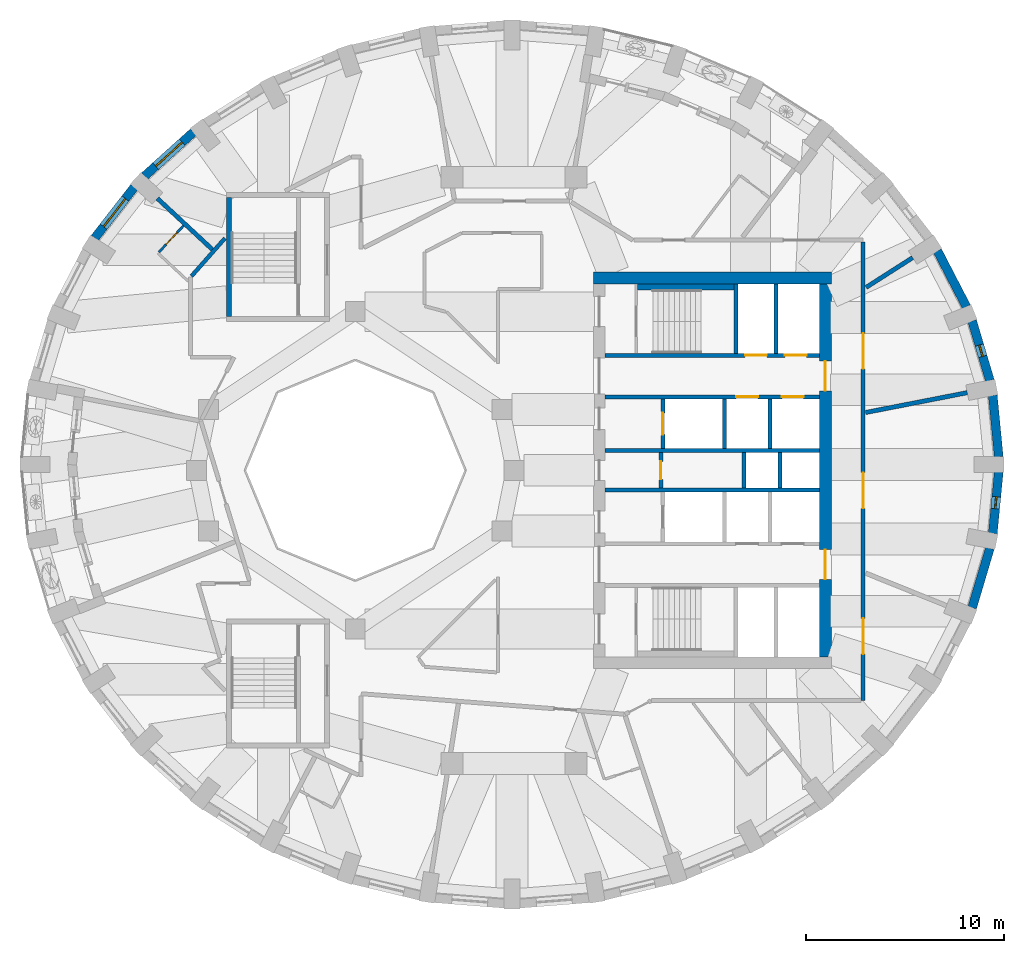
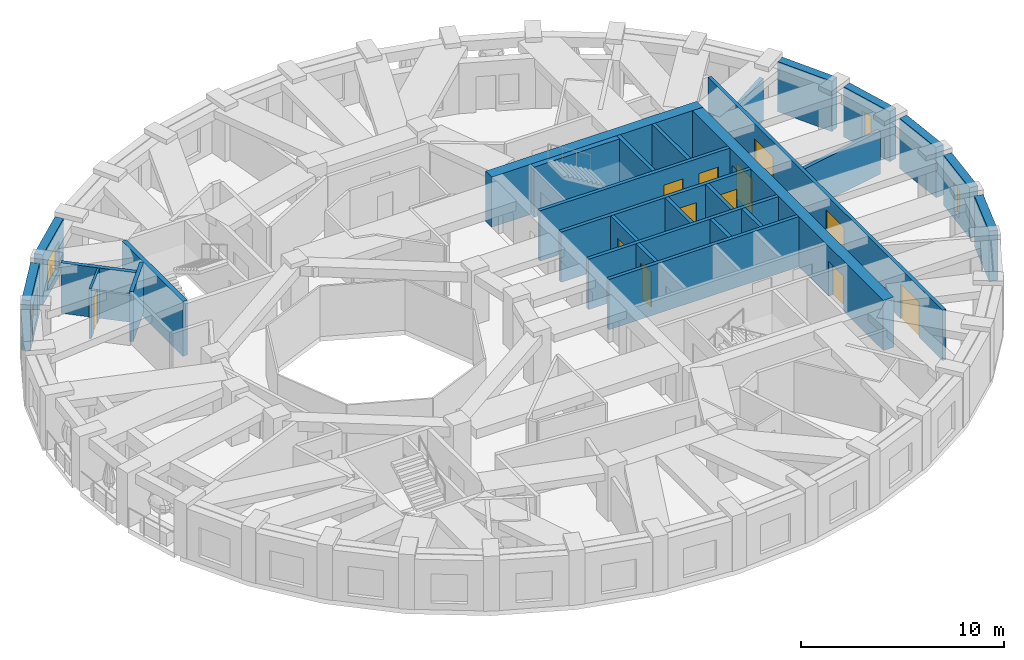
# One storey, part 6 of 12: 29 walls, 12 doors, 4 windows, 16 openings.
"""IFC4 building model written with IfcOpenShell, lengths in metres."""

from ifc_helpers import new_model, si_unit, direction, frame, frame_2d, origin, place, context, subcontext, project, spatial, rectangle, extrude, material, layer, layer_set, type_object, element, fill, save


model = new_model("IFC4")

# Units and contexts
model_context = context("Model", 3, precision=1e-05, world=origin(), true_north=direction((0.0, 1.0)))
body_context = subcontext(model_context, "Body", "Model", "MODEL_VIEW")
ifc_project = project(units=[si_unit("LENGTHUNIT", "METRE"), si_unit("AREAUNIT", "SQUARE_METRE"), si_unit("VOLUMEUNIT", "CUBIC_METRE"), si_unit("PLANEANGLEUNIT", "RADIAN"), si_unit("MASSUNIT", "GRAM", prefix="KILO")], contexts=[model_context])

# Site, building, storey
site_placement = place(None, origin())
site = spatial("IfcSite", under=ifc_project, at=site_placement, CompositionType="ELEMENT")
building_placement = place(site_placement, origin())
building = spatial("IfcBuilding", under=site, at=building_placement, Name="Taillehof Tower", CompositionType="ELEMENT")
storey_placement = place(building_placement, frame((0.0, 0.0, 239.89990234375)))
storey = spatial("IfcBuildingStorey", under=building, at=storey_placement, Name="L68", CompositionType="ELEMENT", Elevation=239.89990234375)

# Wall
ifc_material_1 = material(Name="Brick masonry", Category="masonry")
ifc_layer_1 = layer(ifc_material_1, 0.449951171875)
ifc_layer_set_1 = layer_set([ifc_layer_1], Name="Brick infill wall 450")
wall_type_1 = type_object("IfcWallType", Name="Brick infill wall 450", PredefinedType="SOLIDWALL", material=ifc_layer_set_1)
wall_1_placement = place(storey_placement, frame((24.43701171875, 0.68017578125, 0.0), z_axis=(0.0, 0.0, 1.0), x_axis=(-0.096740086873, 0.995309678237, 0.0)))
element("IfcWall", 1, at=wall_1_placement, inside=storey, type_object=wall_type_1, Name="Brick wall L68 bay 1", PredefinedType="SOLIDWALL", context=body_context, shape_type="SweptSolid", body=[
    extrude(rectangle(XDim=3.1142578125, YDim=0.449951171875, at=frame_2d((1.55712890625, 0.0))), origin(), (0.0, 0.0, 1.0), 3.02001953125),
])

# Wall, opening, window
wall_2_placement = place(storey_placement, frame((23.989990234375, 4.52587890625, 0.0), z_axis=(0.0, 0.0, 1.0), x_axis=(-0.285263800865, 0.958449040855, 0.0)))
wall_2 = element("IfcWall", 2, at=wall_2_placement, inside=storey, type_object=wall_type_1, Name="Brick wall L68 bay 2", PredefinedType="SOLIDWALL", context=body_context, shape_type="SweptSolid", body=[
    extrude(rectangle(XDim=3.13916015625, YDim=0.449951171875, at=frame_2d((1.569580078125, 0.0))), origin(), (0.0, 0.0, 1.0), 3.02001953125),
])
opening_1_placement = place(wall_2_placement, frame((1.26953125, 0.0, 0.39990234375)))
opening_1 = element("IfcOpeningElement", 3, at=opening_1_placement, cuts=wall_2, Name="Opening W6", PredefinedType="OPENING", context=body_context, shape_type="SweptSolid", body=[
    extrude(rectangle(XDim=0.60009765625, YDim=1.75, at=frame_2d((0.300048828125, 0.875))), frame((0.0, 0.23486328125, 0.0), z_axis=(0.0, -1.0, 0.0), x_axis=(1.0, 0.0, 0.0)), (0.0, 0.0, 1.0), 0.469970703125),
])
ifc_material_2 = material(Name="Aluminium window frame with clear double glazing", Category="aluminium")
window_type_1 = type_object("IfcWindowType", Name="Slot window 600x1750", PartitioningType="SINGLE_PANEL", PredefinedType="WINDOW", material=ifc_material_2)
window_1_placement = place(opening_1_placement, origin())
window_1 = element("IfcWindow", 4, at=window_1_placement, inside=storey, type_object=window_type_1, Name="W6", OverallHeight=1.75, OverallWidth=0.60009765625, PartitioningType="SINGLE_PANEL", PredefinedType="WINDOW", context=body_context, shape_type="SweptSolid", body=[
    extrude(rectangle(XDim=0.60009765625, YDim=1.75, at=frame_2d((0.300048828125, 0.875))), frame((0.0, 0.034912109375, 0.0), z_axis=(0.0, -1.0, 0.0), x_axis=(1.0, 0.0, 0.0)), (0.0, 0.0, 1.0), 0.06005859375),
])
fill(opening_1, window_1)

# Wall
wall_3_placement = place(storey_placement, frame((22.81005859375, 8.239501953125, 0.0), z_axis=(0.0, 0.0, 1.0), x_axis=(-0.459889857669, 0.887975967475, 0.0)))
element("IfcWall", 5, at=wall_3_placement, inside=storey, type_object=wall_type_1, Name="Brick wall L68 bay 3", PredefinedType="SOLIDWALL", context=body_context, shape_type="SweptSolid", body=[
    extrude(rectangle(XDim=3.185791015625, YDim=0.449951171875, at=frame_2d((1.5927734375, 0.0))), origin(), (0.0, 0.0, 1.0), 3.02001953125),
])

# Wall, opening, window
wall_4_placement = place(storey_placement, frame((-16.1591796875, 17.04736328125, 0.0), z_axis=(0.0, 0.0, 1.0), x_axis=(-0.743166014219, -0.669107073128, 0.0)))
wall_4 = element("IfcWall", 6, at=wall_4_placement, inside=storey, type_object=wall_type_1, Name="Brick wall L68 bay 14", PredefinedType="SOLIDWALL", context=body_context, shape_type="SweptSolid", body=[
    extrude(rectangle(XDim=3.31640625, YDim=0.449951171875, at=frame_2d((1.658203125, 0.0))), origin(), (0.0, 0.0, 1.0), 3.02001953125),
])
opening_2_placement = place(wall_4_placement, frame((0.75830078125, 0.0, 0.39990234375)))
opening_2 = element("IfcOpeningElement", 7, at=opening_2_placement, cuts=wall_4, Name="Opening W4", PredefinedType="OPENING", context=body_context, shape_type="SweptSolid", body=[
    extrude(rectangle(XDim=1.800048828125, YDim=1.75, at=frame_2d((0.89990234375, 0.875))), frame((0.0, 0.23486328125, 0.0), z_axis=(0.0, -1.0, 0.0), x_axis=(1.0, 0.0, 0.0)), (0.0, 0.0, 1.0), 0.469970703125),
])
ifc_material_3 = material(Name="Aluminium window frame with clear double glazing", Category="aluminium")
window_type_2 = type_object("IfcWindowType", Name="Deep-set window 1800x1750", PartitioningType="SINGLE_PANEL", PredefinedType="WINDOW", material=ifc_material_3)
window_2_placement = place(opening_2_placement, origin())
window_2 = element("IfcWindow", 8, at=window_2_placement, inside=storey, type_object=window_type_2, Name="W4", OverallHeight=1.75, OverallWidth=1.800048828125, PartitioningType="SINGLE_PANEL", PredefinedType="WINDOW", context=body_context, shape_type="SweptSolid", body=[
    extrude(rectangle(XDim=1.800048828125, YDim=1.75, at=frame_2d((0.89990234375, 0.875))), frame((0.0, 0.034912109375, 0.0), z_axis=(0.0, -1.0, 0.0), x_axis=(1.0, 0.0, 0.0)), (0.0, 0.0, 1.0), 0.06005859375),
])
fill(opening_2, window_2)

wall_5_placement = place(storey_placement, frame((-19.1416015625, 14.27197265625, 0.0), z_axis=(0.0, 0.0, 1.0), x_axis=(-0.613862536705, -0.789412937587, 0.0)))
wall_5 = element("IfcWall", 9, at=wall_5_placement, inside=storey, type_object=wall_type_1, Name="Brick wall L68 bay 15", PredefinedType="SOLIDWALL", context=body_context, shape_type="SweptSolid", body=[
    extrude(rectangle(XDim=3.247314453125, YDim=0.449951171875, at=frame_2d((1.62353515625, 0.0))), origin(), (0.0, 0.0, 1.0), 3.02001953125),
])
opening_3_placement = place(wall_5_placement, frame((0.7236328125, 0.0, 0.39990234375)))
opening_3 = element("IfcOpeningElement", 10, at=opening_3_placement, cuts=wall_5, Name="Opening W4", PredefinedType="OPENING", context=body_context, shape_type="SweptSolid", body=[
    extrude(rectangle(XDim=1.800048828125, YDim=1.75, at=frame_2d((0.89990234375, 0.875))), frame((0.0, 0.23486328125, 0.0), z_axis=(0.0, -1.0, 0.0), x_axis=(1.0, 0.0, 0.0)), (0.0, 0.0, 1.0), 0.469970703125),
])
window_3_placement = place(opening_3_placement, origin())
window_3 = element("IfcWindow", 11, at=window_3_placement, inside=storey, type_object=window_type_2, Name="W4", OverallHeight=1.75, OverallWidth=1.800048828125, PartitioningType="SINGLE_PANEL", PredefinedType="WINDOW", context=body_context, shape_type="SweptSolid", body=[
    extrude(rectangle(XDim=1.800048828125, YDim=1.75, at=frame_2d((0.89990234375, 0.875))), frame((0.0, 0.034912109375, 0.0), z_axis=(0.0, -1.0, 0.0), x_axis=(1.0, 0.0, 0.0)), (0.0, 0.0, 1.0), 0.06005859375),
])
fill(opening_3, window_3)

# Wall
wall_6_placement = place(storey_placement, frame((23.094482421875, -6.9345703125, 0.0), z_axis=(0.0, 0.0, 1.0), x_axis=(0.285263800865, 0.958449040855, 0.0)))
element("IfcWall", 12, at=wall_6_placement, inside=storey, type_object=wall_type_1, Name="Brick wall L68 bay 35", PredefinedType="SOLIDWALL", context=body_context, shape_type="SweptSolid", body=[
    extrude(rectangle(XDim=3.13916015625, YDim=0.449951171875, at=frame_2d((1.569580078125, 0.0))), origin(), (0.0, 0.0, 1.0), 3.02001953125),
])

# Wall, opening, window
wall_7_placement = place(storey_placement, frame((24.1357421875, -3.179931640625, 0.0), z_axis=(0.0, 0.0, 1.0), x_axis=(0.09673253904, 0.995310411827, 0.0)))
wall_7 = element("IfcWall", 13, at=wall_7_placement, inside=storey, type_object=wall_type_1, Name="Brick wall L68 bay 36", PredefinedType="SOLIDWALL", context=body_context, shape_type="SweptSolid", body=[
    extrude(rectangle(XDim=3.114501953125, YDim=0.449951171875, at=frame_2d((1.55712890625, 0.0))), origin(), (0.0, 0.0, 1.0), 3.02001953125),
])
opening_4_placement = place(wall_7_placement, frame((1.257080078125, 0.0, 0.39990234375)))
opening_4 = element("IfcOpeningElement", 14, at=opening_4_placement, cuts=wall_7, Name="Opening W6", PredefinedType="OPENING", context=body_context, shape_type="SweptSolid", body=[
    extrude(rectangle(XDim=0.60009765625, YDim=1.75, at=frame_2d((0.300048828125, 0.875))), frame((0.0, 0.23486328125, 0.0), z_axis=(0.0, -1.0, 0.0), x_axis=(1.0, 0.0, 0.0)), (0.0, 0.0, 1.0), 0.469970703125),
])
window_4_placement = place(opening_4_placement, origin())
window_4 = element("IfcWindow", 15, at=window_4_placement, inside=storey, type_object=window_type_1, Name="W6", OverallHeight=1.75, OverallWidth=0.60009765625, PartitioningType="SINGLE_PANEL", PredefinedType="WINDOW", context=body_context, shape_type="SweptSolid", body=[
    extrude(rectangle(XDim=0.60009765625, YDim=1.75, at=frame_2d((0.300048828125, 0.875))), frame((0.0, 0.034912109375, 0.0), z_axis=(0.0, -1.0, 0.0), x_axis=(1.0, 0.0, 0.0)), (0.0, 0.0, 1.0), 0.06005859375),
])
fill(opening_4, window_4)

# Wall, opening, door
ifc_material_4 = material(Name="Calcium silicate masonry", Category="masonry")
ifc_layer_2 = layer(ifc_material_4, 0.199951171875)
ifc_layer_set_2 = layer_set([ifc_layer_2], Name="Compartment wall calcium silicate 200")
wall_type_2 = type_object("IfcWallType", Name="Compartment wall calcium silicate 200", PredefinedType="PARTITIONING", material=ifc_layer_set_2)
wall_8_placement = place(storey_placement, frame((7.39990234375, -0.89990234375, 0.0), z_axis=(0.0, 0.0, 1.0), x_axis=(0.0, 1.0, 0.0)))
wall_8 = element("IfcWall", 16, at=wall_8_placement, inside=storey, type_object=wall_type_2, Name="Compartment wall FW", PredefinedType="PARTITIONING", context=body_context, shape_type="SweptSolid", body=[
    extrude(rectangle(XDim=1.7998046875, YDim=0.199951171875, at=frame_2d((0.89990234375, 0.0))), origin(), (0.0, 0.0, 1.0), 3.02001953125),
])
opening_5_placement = place(wall_8_placement, frame((0.449951171875, 0.0, 0.0)))
opening_5 = element("IfcOpeningElement", 17, at=opening_5_placement, cuts=wall_8, Name="Opening D6814", PredefinedType="OPENING", context=body_context, shape_type="SweptSolid", body=[
    extrude(rectangle(XDim=0.89990234375, YDim=2.10009765625, at=frame_2d((0.449951171875, 1.050048828125))), frame((0.0, 0.10986328125, 0.0), z_axis=(0.0, -1.0, 0.0), x_axis=(1.0, 0.0, 0.0)), (0.0, 0.0, 1.0), 0.219970703125),
])
ifc_material_5 = material(Name="Steel-faced fire door", Category="steel")
door_type_1 = type_object("IfcDoorType", Name="Riser and service room door 900x2100", OperationType="SINGLE_SWING_LEFT", PredefinedType="DOOR", material=ifc_material_5)
door_1_placement = place(opening_5_placement, origin())
door_1 = element("IfcDoor", 18, at=door_1_placement, inside=storey, type_object=door_type_1, Name="Door Electrical Room", OperationType="SINGLE_SWING_RIGHT", OverallHeight=2.10009765625, OverallWidth=0.89990234375, PredefinedType="DOOR", context=body_context, shape_type="SweptSolid", body=[
    extrude(rectangle(XDim=0.89990234375, YDim=2.10009765625, at=frame_2d((0.449951171875, 1.050048828125))), frame((0.0, 0.02490234375, 0.0), z_axis=(0.0, -1.0, 0.0), x_axis=(1.0, 0.0, 0.0)), (0.0, 0.0, 1.0), 0.050048828125),
])
fill(opening_5, door_1)

# Walls
for number, where, z_axis, x_axis, name in (
    (19, (11.60009765625, -0.89990234375, 0.0), (0.0, 0.0, 1.0), (0.0, 1.0, 0.0), "Compartment wall FW"),
    (20, (13.39990234375, -0.89990234375, 0.0), (0.0, 0.0, 1.0), (0.0, 1.0, 0.0), "Compartment wall FW"),
):
    element("IfcWall", number, at=place(storey_placement, frame(where, z_axis=z_axis, x_axis=x_axis)), inside=storey, type_object=wall_type_2, Name=name, PredefinedType="PARTITIONING", context=body_context, shape_type="SweptSolid", body=[
        extrude(rectangle(XDim=1.7998046875, YDim=0.199951171875, at=frame_2d((0.89990234375, 0.0))), origin(), (0.0, 0.0, 1.0), 3.02001953125),
    ])

# Wall, openings, doors
ifc_material_6 = material(Name="Gypsum board on steel studs, two layers each side", Category="steel")
ifc_layer_3 = layer(ifc_material_6, 0.199951171875)
ifc_layer_set_3 = layer_set([ifc_layer_3], Name="Compartment wall corridor 200")
wall_type_3 = type_object("IfcWallType", Name="Compartment wall corridor 200", PredefinedType="PARTITIONING", material=ifc_layer_set_3)
wall_9_placement = place(storey_placement, frame((17.60009765625, 11.5, 0.0), z_axis=(0.0, 0.0, 1.0), x_axis=(0.0, -1.0, 0.0)))
wall_9 = element("IfcWall", 21, at=wall_9_placement, inside=storey, type_object=wall_type_3, Name="Compartment wall", PredefinedType="PARTITIONING", context=body_context, shape_type="SweptSolid", body=[
    extrude(rectangle(XDim=23.10009765625, YDim=0.199951171875, at=frame_2d((11.550048828125, 0.0))), origin(), (0.0, 0.0, 1.0), 3.02001953125),
])
opening_6_placement = place(wall_9_placement, frame((18.9599609375, 0.0, 0.0)))
opening_6 = element("IfcOpeningElement", 22, at=opening_6_placement, cuts=wall_9, Name="Opening D6854", PredefinedType="OPENING", context=body_context, shape_type="SweptSolid", body=[
    extrude(rectangle(XDim=1.800048828125, YDim=2.10009765625, at=frame_2d((0.89990234375, 1.050048828125))), frame((0.0, 0.10986328125, 0.0), z_axis=(0.0, -1.0, 0.0), x_axis=(1.0, 0.0, 0.0)), (0.0, 0.0, 1.0), 0.219970703125),
])
opening_7_placement = place(wall_9_placement, frame((11.6171875, 0.0, 0.0)))
opening_7 = element("IfcOpeningElement", 23, at=opening_7_placement, cuts=wall_9, Name="Opening D6855", PredefinedType="OPENING", context=body_context, shape_type="SweptSolid", body=[
    extrude(rectangle(XDim=1.800048828125, YDim=2.10009765625, at=frame_2d((0.89990234375, 1.050048828125))), frame((0.0, 0.10986328125, 0.0), z_axis=(0.0, -1.0, 0.0), x_axis=(1.0, 0.0, 0.0)), (0.0, 0.0, 1.0), 0.219970703125),
])
opening_8_placement = place(wall_9_placement, frame((4.5908203125, 0.0, 0.0)))
opening_8 = element("IfcOpeningElement", 24, at=opening_8_placement, cuts=wall_9, Name="Opening D6856", PredefinedType="OPENING", context=body_context, shape_type="SweptSolid", body=[
    extrude(rectangle(XDim=1.800048828125, YDim=2.10009765625, at=frame_2d((0.89990234375, 1.050048828125))), frame((0.0, 0.10986328125, 0.0), z_axis=(0.0, -1.0, 0.0), x_axis=(1.0, 0.0, 0.0)), (0.0, 0.0, 1.0), 0.219970703125),
])
ifc_material_7 = material(Name="Timber door leaf in steel frame", Category="steel")
door_type_2 = type_object("IfcDoorType", Name="Lounge and meeting room double door EI 30 1800 x 2100", OperationType="SINGLE_SWING_LEFT", PredefinedType="DOOR", material=ifc_material_7)
door_2_placement = place(opening_6_placement, origin())
door_2 = element("IfcDoor", 25, at=door_2_placement, inside=storey, type_object=door_type_2, Name="D6854", OperationType="DOUBLE_DOOR_SINGLE_SWING", OverallHeight=2.10009765625, OverallWidth=1.800048828125, PredefinedType="DOOR", context=body_context, shape_type="SweptSolid", body=[
    extrude(rectangle(XDim=1.800048828125, YDim=2.10009765625, at=frame_2d((0.89990234375, 1.050048828125))), frame((0.0, 0.02490234375, 0.0), z_axis=(0.0, -1.0, 0.0), x_axis=(1.0, 0.0, 0.0)), (0.0, 0.0, 1.0), 0.050048828125),
])
fill(opening_6, door_2)
door_3_placement = place(opening_7_placement, origin())
door_3 = element("IfcDoor", 26, at=door_3_placement, inside=storey, type_object=door_type_2, Name="D6855", OperationType="DOUBLE_DOOR_SINGLE_SWING", OverallHeight=2.10009765625, OverallWidth=1.800048828125, PredefinedType="DOOR", context=body_context, shape_type="SweptSolid", body=[
    extrude(rectangle(XDim=1.800048828125, YDim=2.10009765625, at=frame_2d((0.89990234375, 1.050048828125))), frame((0.0, 0.02490234375, 0.0), z_axis=(0.0, -1.0, 0.0), x_axis=(1.0, 0.0, 0.0)), (0.0, 0.0, 1.0), 0.050048828125),
])
fill(opening_7, door_3)
door_4_placement = place(opening_8_placement, origin())
door_4 = element("IfcDoor", 27, at=door_4_placement, inside=storey, type_object=door_type_2, Name="D6856", OperationType="DOUBLE_DOOR_SINGLE_SWING", OverallHeight=2.10009765625, OverallWidth=1.800048828125, PredefinedType="DOOR", context=body_context, shape_type="SweptSolid", body=[
    extrude(rectangle(XDim=1.800048828125, YDim=2.10009765625, at=frame_2d((0.89990234375, 1.050048828125))), frame((0.0, 0.02490234375, 0.0), z_axis=(0.0, -1.0, 0.0), x_axis=(1.0, 0.0, 0.0)), (0.0, 0.0, 1.0), 0.050048828125),
])
fill(opening_8, door_4)

# Walls
wall_10_placement = place(storey_placement, frame((-16.260498046875, 9.783447265625, 0.0), z_axis=(0.0, 0.0, 1.0), x_axis=(0.66199168739, 0.74951117792, 0.0)))
element("IfcWall", 28, at=wall_10_placement, inside=storey, type_object=wall_type_3, Name="Compartment wall", PredefinedType="PARTITIONING", context=body_context, shape_type="SweptSolid", body=[
    extrude(rectangle(XDim=2.552490234375, YDim=0.199951171875, at=frame_2d((1.2763671875, 0.0))), origin(), (0.0, 0.0, 1.0), 3.02001953125),
])
ifc_material_8 = material(Name="Gypsum board on double steel studs with mineral wool", Category="steel")
ifc_layer_4 = layer(ifc_material_8, 0.219970703125)
ifc_layer_set_4 = layer_set([ifc_layer_4], Name="Compartment wall guest room 220")
wall_type_4 = type_object("IfcWallType", Name="Compartment wall guest room 220", PredefinedType="PARTITIONING", material=ifc_layer_set_4)
wall_11_placement = place(storey_placement, frame((22.8486328125, 3.915771484375, 0.0), z_axis=(0.0, 0.0, 1.0), x_axis=(-0.981474096155, -0.191594881394, 0.0)))
element("IfcWall", 29, at=wall_11_placement, inside=storey, type_object=wall_type_4, Name="Compartment wall", PredefinedType="PARTITIONING", context=body_context, shape_type="SweptSolid", body=[
    extrude(rectangle(XDim=5.225830078125, YDim=0.219970703125, at=frame_2d((2.61279296875, 0.0))), origin(), (0.0, 0.0, 1.0), 2.570068359375),
])
wall_12_placement = place(storey_placement, frame((20.095947265625, 10.720947265625, 0.0), z_axis=(0.0, 0.0, 1.0), x_axis=(-0.842583486412, -0.538565751256, 0.0)))
element("IfcWall", 30, at=wall_12_placement, inside=storey, type_object=wall_type_4, Name="Compartment wall", PredefinedType="PARTITIONING", context=body_context, shape_type="SweptSolid", body=[
    extrude(rectangle(XDim=2.783447265625, YDim=0.219970703125, at=frame_2d((1.3916015625, 0.0))), origin(), (0.0, 0.0, 1.0), 2.570068359375),
])
wall_13_placement = place(storey_placement, frame((-17.973876953125, 13.705810546875, 0.0), z_axis=(0.0, 0.0, 1.0), x_axis=(0.732644022802, -0.680612030346, 0.0)))
element("IfcWall", 31, at=wall_13_placement, inside=storey, type_object=wall_type_4, Name="Compartment wall", PredefinedType="PARTITIONING", context=body_context, shape_type="SweptSolid", body=[
    extrude(rectangle(XDim=3.78173828125, YDim=0.219970703125, at=frame_2d((1.890869140625, 0.0))), origin(), (0.0, 0.0, 1.0), 3.02001953125),
])
ifc_material_9 = material(Name="Calcium silicate masonry", Category="masonry")
ifc_layer_5 = layer(ifc_material_9, 0.300048828125)
ifc_layer_set_5 = layer_set([ifc_layer_5], Name="Compartment wall lining calcium silicate 300")
wall_type_5 = type_object("IfcWallType", Name="Compartment wall lining calcium silicate 300", PredefinedType="PARTITIONING", material=ifc_layer_set_5)
wall_14_placement = place(storey_placement, frame((6.219970703125, 9.25, 0.0), z_axis=(0.0, 0.0, 1.0), x_axis=(1.0, 0.0, 0.0)))
element("IfcWall", 32, at=wall_14_placement, inside=storey, type_object=wall_type_5, Name="Compartment wall FW", PredefinedType="PARTITIONING", context=body_context, shape_type="SweptSolid", body=[
    extrude(rectangle(XDim=4.880126953125, YDim=0.300048828125, at=frame_2d((2.43994140625, 0.0))), origin(), (0.0, 0.0, 1.0), 3.02001953125),
])

# Wall, openings, doors
ifc_material_10 = material(Name="Concrete C80/95", Category="concrete")
ifc_layer_6 = layer(ifc_material_10, 0.60009765625)
ifc_layer_set_6 = layer_set([ifc_layer_6], Name="Core wall C80/95 600")
wall_type_6 = type_object("IfcWallType", Name="Core wall C80/95 600", PredefinedType="SHEAR", material=ifc_layer_set_6)
wall_15_placement = place(storey_placement, frame((15.699951171875, -9.39990234375, 0.0), z_axis=(0.0, 0.0, 1.0), x_axis=(0.0, 1.0, 0.0)))
wall_15 = element("IfcWall", 33, at=wall_15_placement, inside=storey, type_object=wall_type_6, Name="Core wall CW05", PredefinedType="SHEAR", context=body_context, shape_type="SweptSolid", body=[
    extrude(rectangle(XDim=18.7998046875, YDim=0.60009765625, at=frame_2d((9.39990234375, 0.0))), origin(), (0.0, 0.0, 1.0), 3.02001953125),
])
opening_9_placement = place(wall_15_placement, frame((13.39990234375, 0.0, 0.0)))
opening_9 = element("IfcOpeningElement", 34, at=opening_9_placement, cuts=wall_15, Name="Opening D6808", PredefinedType="OPENING", context=body_context, shape_type="SweptSolid", body=[
    extrude(rectangle(XDim=1.5, YDim=2.10009765625, at=frame_2d((0.75, 1.050048828125))), frame((0.0, 0.31005859375, 0.0), z_axis=(0.0, -1.0, 0.0), x_axis=(1.0, 0.0, 0.0)), (0.0, 0.0, 1.0), 0.6201171875),
])
opening_10_placement = place(wall_15_placement, frame((3.89990234375, 0.0, 0.0)))
opening_10 = element("IfcOpeningElement", 35, at=opening_10_placement, cuts=wall_15, Name="Opening D6809", PredefinedType="OPENING", context=body_context, shape_type="SweptSolid", body=[
    extrude(rectangle(XDim=1.5, YDim=2.10009765625, at=frame_2d((0.75, 1.050048828125))), frame((0.0, 0.31005859375, 0.0), z_axis=(0.0, -1.0, 0.0), x_axis=(1.0, 0.0, 0.0)), (0.0, 0.0, 1.0), 0.6201171875),
])
ifc_material_11 = material(Name="Steel-faced fire door", Category="steel")
door_type_3 = type_object("IfcDoorType", Name="Lift lobby east door 1500x2100", OperationType="DOUBLE_DOOR_SINGLE_SWING", PredefinedType="DOOR", material=ifc_material_11)
door_5_placement = place(opening_9_placement, origin())
door_5 = element("IfcDoor", 36, at=door_5_placement, inside=storey, type_object=door_type_3, Name="Lift lobby east door north", OperationType="DOUBLE_DOOR_SINGLE_SWING", OverallHeight=2.10009765625, OverallWidth=1.5, PredefinedType="DOOR", context=body_context, shape_type="SweptSolid", body=[
    extrude(rectangle(XDim=1.5, YDim=2.10009765625, at=frame_2d((0.75, 1.050048828125))), frame((0.0, 0.02490234375, 0.0), z_axis=(0.0, -1.0, 0.0), x_axis=(1.0, 0.0, 0.0)), (0.0, 0.0, 1.0), 0.050048828125),
])
fill(opening_9, door_5)
door_6_placement = place(opening_10_placement, origin())
door_6 = element("IfcDoor", 37, at=door_6_placement, inside=storey, type_object=door_type_3, Name="Lift lobby east door south", OperationType="DOUBLE_DOOR_SINGLE_SWING", OverallHeight=2.10009765625, OverallWidth=1.5, PredefinedType="DOOR", context=body_context, shape_type="SweptSolid", body=[
    extrude(rectangle(XDim=1.5, YDim=2.10009765625, at=frame_2d((0.75, 1.050048828125))), frame((0.0, 0.02490234375, 0.0), z_axis=(0.0, -1.0, 0.0), x_axis=(1.0, 0.0, 0.0)), (0.0, 0.0, 1.0), 0.050048828125),
])
fill(opening_10, door_6)

# Wall
wall_16_placement = place(storey_placement, frame((4.0, 9.699951171875, 0.0), z_axis=(0.0, 0.0, 1.0), x_axis=(1.0, 0.0, 0.0)))
element("IfcWall", 38, at=wall_16_placement, inside=storey, type_object=wall_type_6, Name="Core wall CW06", PredefinedType="SHEAR", context=body_context, shape_type="SweptSolid", body=[
    extrude(rectangle(XDim=12.0, YDim=0.60009765625, at=frame_2d((6.0, 0.0))), origin(), (0.0, 0.0, 1.0), 3.02001953125),
])

# Wall, opening, door
ifc_material_12 = material(Name="Gypsum board on steel studs, moisture resistant", Category="steel")
ifc_layer_7 = layer(ifc_material_12, 0.1201171875)
ifc_layer_set_7 = layer_set([ifc_layer_7], Name="En-suite wall 120")
wall_type_7 = type_object("IfcWallType", Name="En-suite wall 120", PredefinedType="PARTITIONING", material=ifc_layer_set_7)
wall_17_placement = place(storey_placement, frame((-17.90234375, 10.991455078125, 0.0), z_axis=(0.0, 0.0, 1.0), x_axis=(0.680681343043, 0.732579626548, 0.0)))
wall_17 = element("IfcWall", 39, at=wall_17_placement, inside=storey, type_object=wall_type_7, Name="En-suite wall", PredefinedType="PARTITIONING", context=body_context, shape_type="SweptSolid", body=[
    extrude(rectangle(XDim=1.829833984375, YDim=0.1201171875, at=frame_2d((0.9150390625, 0.0))), origin(), (0.0, 0.0, 1.0), 3.02001953125),
])
opening_11_placement = place(wall_17_placement, frame((0.5400390625, 0.0, 0.0)))
opening_11 = element("IfcOpeningElement", 40, at=opening_11_placement, cuts=wall_17, Name="Opening D6845", PredefinedType="OPENING", context=body_context, shape_type="SweptSolid", body=[
    extrude(rectangle(XDim=0.800048828125, YDim=2.10009765625, at=frame_2d((0.39990234375, 1.050048828125))), frame((0.0, 0.070068359375, 0.0), z_axis=(0.0, -1.0, 0.0), x_axis=(1.0, 0.0, 0.0)), (0.0, 0.0, 1.0), 0.14013671875),
])
ifc_material_13 = material(Name="Timber door leaf in steel frame", Category="steel")
door_type_4 = type_object("IfcDoorType", Name="En-suite door 800 x 2100", OperationType="SINGLE_SWING_LEFT", PredefinedType="DOOR", material=ifc_material_13)
door_7_placement = place(opening_11_placement, origin())
door_7 = element("IfcDoor", 41, at=door_7_placement, inside=storey, type_object=door_type_4, Name="D6845", OperationType="SINGLE_SWING_RIGHT", OverallHeight=2.10009765625, OverallWidth=0.800048828125, PredefinedType="DOOR", context=body_context, shape_type="SweptSolid", body=[
    extrude(rectangle(XDim=0.800048828125, YDim=2.10009765625, at=frame_2d((0.39990234375, 1.050048828125))), frame((0.0, 0.02490234375, 0.0), z_axis=(0.0, -1.0, 0.0), x_axis=(1.0, 0.0, 0.0)), (0.0, 0.0, 1.0), 0.050048828125),
])
fill(opening_11, door_7)

# Wall, openings, doors
ifc_material_14 = material(Name="Concrete C50/60", Category="concrete")
ifc_layer_8 = layer(ifc_material_14, 0.199951171875)
ifc_layer_set_8 = layer_set([ifc_layer_8], Name="Shaft wall C50/60 200")
wall_type_8 = type_object("IfcWallType", Name="Shaft wall C50/60 200", PredefinedType="SHEAR", material=ifc_layer_set_8)
wall_18_placement = place(storey_placement, frame((4.60009765625, 5.800048828125, 0.0), z_axis=(0.0, 0.0, 1.0), x_axis=(1.0, 0.0, 0.0)))
wall_18 = element("IfcWall", 42, at=wall_18_placement, inside=storey, type_object=wall_type_8, Name="Shaft wall SW", PredefinedType="SHEAR", context=body_context, shape_type="SweptSolid", body=[
    extrude(rectangle(XDim=10.7998046875, YDim=0.199951171875, at=frame_2d((5.39990234375, 0.0))), origin(), (0.0, 0.0, 1.0), 3.02001953125),
])
opening_12_placement = place(wall_18_placement, frame((7.050048828125, 0.0, 0.0)))
opening_12 = element("IfcOpeningElement", 43, at=opening_12_placement, cuts=wall_18, Name="Opening LD1", PredefinedType="OPENING", context=body_context, shape_type="SweptSolid", body=[
    extrude(rectangle(XDim=1.10009765625, YDim=2.10009765625, at=frame_2d((0.550048828125, 1.050048828125))), frame((0.0, 0.10986328125, 0.0), z_axis=(0.0, -1.0, 0.0), x_axis=(1.0, 0.0, 0.0)), (0.0, 0.0, 1.0), 0.219970703125),
])
opening_13_placement = place(wall_18_placement, frame((9.050048828125, 0.0, 0.0)))
opening_13 = element("IfcOpeningElement", 44, at=opening_13_placement, cuts=wall_18, Name="Opening LD1", PredefinedType="OPENING", context=body_context, shape_type="SweptSolid", body=[
    extrude(rectangle(XDim=1.10009765625, YDim=2.10009765625, at=frame_2d((0.550048828125, 1.050048828125))), frame((0.0, 0.10986328125, 0.0), z_axis=(0.0, -1.0, 0.0), x_axis=(1.0, 0.0, 0.0)), (0.0, 0.0, 1.0), 0.219970703125),
])
ifc_material_15 = material(Name="Stainless steel", Category="steel")
door_type_5 = type_object("IfcDoorType", Name="Lift landing door LD1 1100x2100", OperationType="DOUBLE_DOOR_SLIDING", PredefinedType="DOOR", material=ifc_material_15)
door_8_placement = place(opening_12_placement, origin())
door_8 = element("IfcDoor", 45, at=door_8_placement, inside=storey, type_object=door_type_5, Name="Landing door HR1", OperationType="DOUBLE_DOOR_SLIDING", OverallHeight=2.10009765625, OverallWidth=1.10009765625, PredefinedType="DOOR", context=body_context, shape_type="SweptSolid", body=[
    extrude(rectangle(XDim=1.10009765625, YDim=2.10009765625, at=frame_2d((0.550048828125, 1.050048828125))), frame((0.0, 0.02490234375, 0.0), z_axis=(0.0, -1.0, 0.0), x_axis=(1.0, 0.0, 0.0)), (0.0, 0.0, 1.0), 0.050048828125),
])
fill(opening_12, door_8)
door_9_placement = place(opening_13_placement, origin())
door_9 = element("IfcDoor", 46, at=door_9_placement, inside=storey, type_object=door_type_5, Name="Landing door HR2", OperationType="DOUBLE_DOOR_SLIDING", OverallHeight=2.10009765625, OverallWidth=1.10009765625, PredefinedType="DOOR", context=body_context, shape_type="SweptSolid", body=[
    extrude(rectangle(XDim=1.10009765625, YDim=2.10009765625, at=frame_2d((0.550048828125, 1.050048828125))), frame((0.0, 0.02490234375, 0.0), z_axis=(0.0, -1.0, 0.0), x_axis=(1.0, 0.0, 0.0)), (0.0, 0.0, 1.0), 0.050048828125),
])
fill(opening_13, door_9)

wall_19_placement = place(storey_placement, frame((4.60009765625, 3.699951171875, 0.0), z_axis=(0.0, 0.0, 1.0), x_axis=(1.0, 0.0, 0.0)))
wall_19 = element("IfcWall", 47, at=wall_19_placement, inside=storey, type_object=wall_type_8, Name="Shaft wall SW", PredefinedType="SHEAR", context=body_context, shape_type="SweptSolid", body=[
    extrude(rectangle(XDim=10.7998046875, YDim=0.199951171875, at=frame_2d((5.39990234375, 0.0))), origin(), (0.0, 0.0, 1.0), 3.02001953125),
])
opening_14_placement = place(wall_19_placement, frame((6.60009765625, 0.0, 0.0)))
opening_14 = element("IfcOpeningElement", 48, at=opening_14_placement, cuts=wall_19, Name="Opening LD1", PredefinedType="OPENING", context=body_context, shape_type="SweptSolid", body=[
    extrude(rectangle(XDim=1.10009765625, YDim=2.10009765625, at=frame_2d((0.550048828125, 1.050048828125))), frame((0.0, 0.10986328125, 0.0), z_axis=(0.0, -1.0, 0.0), x_axis=(1.0, 0.0, 0.0)), (0.0, 0.0, 1.0), 0.219970703125),
])
opening_15_placement = place(wall_19_placement, frame((8.89990234375, 0.0, 0.0)))
opening_15 = element("IfcOpeningElement", 49, at=opening_15_placement, cuts=wall_19, Name="Opening LD1", PredefinedType="OPENING", context=body_context, shape_type="SweptSolid", body=[
    extrude(rectangle(XDim=1.10009765625, YDim=2.10009765625, at=frame_2d((0.550048828125, 1.050048828125))), frame((0.0, 0.10986328125, 0.0), z_axis=(0.0, -1.0, 0.0), x_axis=(1.0, 0.0, 0.0)), (0.0, 0.0, 1.0), 0.219970703125),
])
door_10_placement = place(opening_14_placement, origin())
door_10 = element("IfcDoor", 50, at=door_10_placement, inside=storey, type_object=door_type_5, Name="Landing door HR3", OperationType="DOUBLE_DOOR_SLIDING", OverallHeight=2.10009765625, OverallWidth=1.10009765625, PredefinedType="DOOR", context=body_context, shape_type="SweptSolid", body=[
    extrude(rectangle(XDim=1.10009765625, YDim=2.10009765625, at=frame_2d((0.550048828125, 1.050048828125))), frame((0.0, 0.02490234375, 0.0), z_axis=(0.0, -1.0, 0.0), x_axis=(1.0, 0.0, 0.0)), (0.0, 0.0, 1.0), 0.050048828125),
])
fill(opening_14, door_10)
door_11_placement = place(opening_15_placement, origin())
door_11 = element("IfcDoor", 51, at=door_11_placement, inside=storey, type_object=door_type_5, Name="Landing door HR4", OperationType="DOUBLE_DOOR_SLIDING", OverallHeight=2.10009765625, OverallWidth=1.10009765625, PredefinedType="DOOR", context=body_context, shape_type="SweptSolid", body=[
    extrude(rectangle(XDim=1.10009765625, YDim=2.10009765625, at=frame_2d((0.550048828125, 1.050048828125))), frame((0.0, 0.02490234375, 0.0), z_axis=(0.0, -1.0, 0.0), x_axis=(1.0, 0.0, 0.0)), (0.0, 0.0, 1.0), 0.050048828125),
])
fill(opening_15, door_11)

# Walls
for number, where, z_axis, x_axis, name in (
    (52, (4.60009765625, 1.0, 0.0), (0.0, 0.0, 1.0), (1.0, 0.0, 0.0), "Shaft wall SW"),
    (53, (4.60009765625, -1.0, 0.0), (0.0, 0.0, 1.0), (1.0, 0.0, 0.0), "Shaft wall SW"),
):
    element("IfcWall", number, at=place(storey_placement, frame(where, z_axis=z_axis, x_axis=x_axis)), inside=storey, type_object=wall_type_8, Name=name, PredefinedType="SHEAR", context=body_context, shape_type="SweptSolid", body=[
        extrude(rectangle(XDim=10.7998046875, YDim=0.199951171875, at=frame_2d((5.39990234375, 0.0))), origin(), (0.0, 0.0, 1.0), 3.02001953125),
    ])
for number, where, z_axis, x_axis, name in (
    (54, (11.199951171875, 5.89990234375, 0.0), (0.0, 0.0, 1.0), (0.0, 1.0, 0.0), "Shaft wall SW"),
    (55, (13.199951171875, 5.89990234375, 0.0), (0.0, 0.0, 1.0), (0.0, 1.0, 0.0), "Shaft wall SW"),
):
    element("IfcWall", number, at=place(storey_placement, frame(where, z_axis=z_axis, x_axis=x_axis)), inside=storey, type_object=wall_type_8, Name=name, PredefinedType="SHEAR", context=body_context, shape_type="SweptSolid", body=[
        extrude(rectangle(XDim=3.5, YDim=0.199951171875, at=frame_2d((1.75, 0.0))), origin(), (0.0, 0.0, 1.0), 3.02001953125),
    ])

# Wall, opening, door
wall_20_placement = place(storey_placement, frame((7.5, 1.10009765625, 0.0), z_axis=(0.0, 0.0, 1.0), x_axis=(0.0, 1.0, 0.0)))
wall_20 = element("IfcWall", 56, at=wall_20_placement, inside=storey, type_object=wall_type_8, Name="Shaft wall SW", PredefinedType="SHEAR", context=body_context, shape_type="SweptSolid", body=[
    extrude(rectangle(XDim=2.5, YDim=0.199951171875, at=frame_2d((1.25, 0.0))), origin(), (0.0, 0.0, 1.0), 3.02001953125),
])
opening_16_placement = place(wall_20_placement, frame((0.699951171875, 0.0, 0.0)))
opening_16 = element("IfcOpeningElement", 57, at=opening_16_placement, cuts=wall_20, Name="Opening LD1", PredefinedType="OPENING", context=body_context, shape_type="SweptSolid", body=[
    extrude(rectangle(XDim=1.10009765625, YDim=2.10009765625, at=frame_2d((0.550048828125, 1.050048828125))), frame((0.0, 0.10986328125, 0.0), z_axis=(0.0, -1.0, 0.0), x_axis=(1.0, 0.0, 0.0)), (0.0, 0.0, 1.0), 0.219970703125),
])
door_12_placement = place(opening_16_placement, origin())
door_12 = element("IfcDoor", 58, at=door_12_placement, inside=storey, type_object=door_type_5, Name="Landing door FF1", OperationType="DOUBLE_DOOR_SLIDING", OverallHeight=2.10009765625, OverallWidth=1.10009765625, PredefinedType="DOOR", context=body_context, shape_type="SweptSolid", body=[
    extrude(rectangle(XDim=1.10009765625, YDim=2.10009765625, at=frame_2d((0.550048828125, 1.050048828125))), frame((0.0, 0.02490234375, 0.0), z_axis=(0.0, -1.0, 0.0), x_axis=(1.0, 0.0, 0.0)), (0.0, 0.0, 1.0), 0.050048828125),
])
fill(opening_16, door_12)

# Walls
for number, where, z_axis, x_axis, name in (
    (59, (10.60009765625, 1.10009765625, 0.0), (0.0, 0.0, 1.0), (0.0, 1.0, 0.0), "Shaft wall SW"),
    (60, (12.89990234375, 1.10009765625, 0.0), (0.0, 0.0, 1.0), (0.0, 1.0, 0.0), "Shaft wall SW"),
):
    element("IfcWall", number, at=place(storey_placement, frame(where, z_axis=z_axis, x_axis=x_axis)), inside=storey, type_object=wall_type_8, Name=name, PredefinedType="SHEAR", context=body_context, shape_type="SweptSolid", body=[
        extrude(rectangle(XDim=2.5, YDim=0.199951171875, at=frame_2d((1.25, 0.0))), origin(), (0.0, 0.0, 1.0), 3.02001953125),
    ])
ifc_material_16 = material(Name="Concrete C50/60", Category="concrete")
ifc_layer_9 = layer(ifc_material_16, 0.25)
ifc_layer_set_9 = layer_set([ifc_layer_9], Name="Stair wall C50/60 250")
wall_type_9 = type_object("IfcWallType", Name="Stair wall C50/60 250", PredefinedType="SHEAR", material=ifc_layer_set_9)
wall_21_placement = place(storey_placement, frame((-14.375, 7.75, -0.27978515625), z_axis=(0.0, 0.0, 1.0), x_axis=(0.0, 1.0, 0.0)))
element("IfcWall", 61, at=wall_21_placement, inside=storey, type_object=wall_type_9, Name="Stair wall SC", PredefinedType="SHEAR", context=body_context, shape_type="SweptSolid", body=[
    extrude(rectangle(XDim=6.0, YDim=0.25, at=frame_2d((3.0, 0.0))), origin(), (0.0, 0.0, 1.0), 3.2998046875),
])

save(model, "model.ifc")
